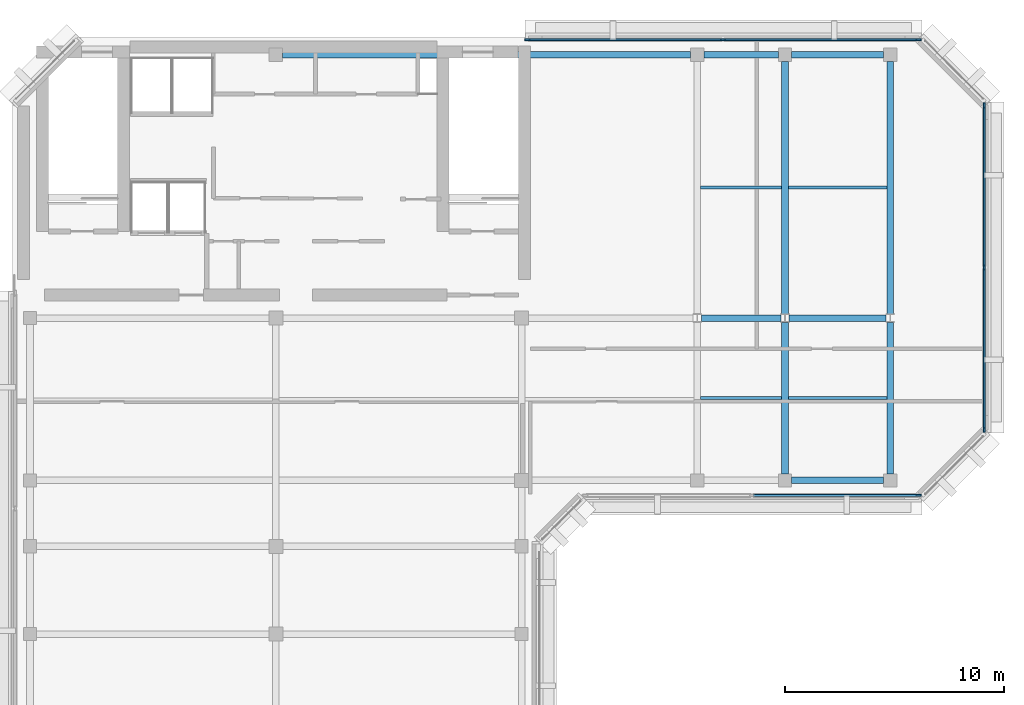
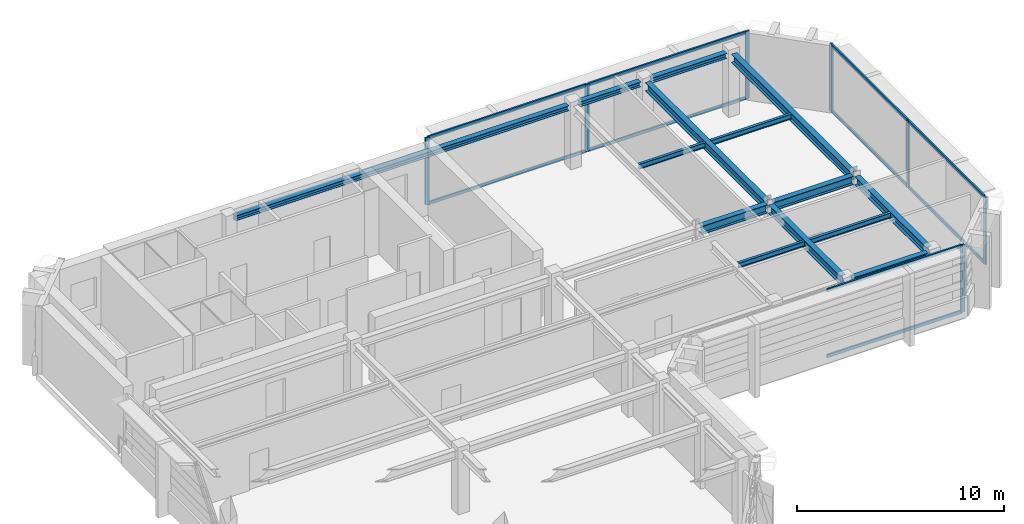
# One storey, part 3 of 7: 17 members, 14 beams, 3 elements without a shape of their own.
"""IFC4 building model written with IfcOpenShell, lengths in metres."""

from ifc_helpers import new_model, si_unit, direction, frame, origin, origin_2d, place, context, subcontext, project, spatial, rectangle, i_section, extrude, material, layer, layer_set, material_profile, profile_set, type_object, element, aggregate, save


model = new_model("IFC4")

# Units and contexts
model_context = context("Model", 3, precision=1e-05, world=origin(), true_north=direction((0.0, 1.0)))
body_context = subcontext(model_context, "Body", "Model", "MODEL_VIEW")
ifc_project = project(units=[si_unit("LENGTHUNIT", "METRE"), si_unit("AREAUNIT", "SQUARE_METRE"), si_unit("VOLUMEUNIT", "CUBIC_METRE"), si_unit("PLANEANGLEUNIT", "RADIAN"), si_unit("MASSUNIT", "GRAM", prefix="KILO")], contexts=[model_context])

# Site, building, storey
site_placement = place(None, origin())
site = spatial("IfcSite", under=ifc_project, at=site_placement, CompositionType="ELEMENT")
building_placement = place(site_placement, origin())
building = spatial("IfcBuilding", under=site, at=building_placement, Name="Kefirva Bronze Tower", CompositionType="ELEMENT")
storey_placement = place(building_placement, frame((0.0, 0.0, 369.929931640625)))
storey = spatial("IfcBuildingStorey", under=building, at=storey_placement, Name="L90", CompositionType="ELEMENT", Elevation=369.929931640625)

# Curtain wall, member
ifc_material_1 = material(Name="Bronze anodised aluminium", Category="aluminium")
ifc_layer = layer(ifc_material_1, 0.219970703125, Name="Bronze anodised aluminium")
ifc_layer_set = layer_set([ifc_layer], Name="Bronze anodised aluminium")
curtain_wall_type = type_object("IfcCurtainWallType", Name="Refuge Acoustic Louvre Curtain Screen", PredefinedType="USERDEFINED", material=ifc_layer_set)
curtain_wall_1_placement = place(storey_placement, origin())
curtain_wall_1 = element("IfcCurtainWall", 1, at=curtain_wall_1_placement, inside=storey, type_object=curtain_wall_type, Name="L90 Curtain Wall 2", ObjectType="LOUVRE SCREEN WALL", PredefinedType="USERDEFINED")
ifc_material_profile_1 = material_profile(ifc_material_1, rectangle(XDim=0.090087890625, YDim=0.219970703125, at=origin_2d()), Name="ALU 90x220")
ifc_profile_set_1 = profile_set([ifc_material_profile_1], Name="Bronze anodised aluminium")
member_type_1 = type_object("IfcMemberType", Name="Bronze Mullion 90x220", PredefinedType="MULLION", material=ifc_profile_set_1)
member_1_placement = place(storey_placement, frame((41.300048828125, 25.1201171875, 0.0), z_axis=(0.0, 0.0, 1.0), x_axis=(0.0, 1.0, 0.0)))
member_1 = element("IfcMember", 2, at=member_1_placement, type_object=member_type_1, Name="CW-06 mullion 3", PredefinedType="MULLION", context=body_context, shape_type="SweptSolid", body=[
    extrude(rectangle(XDim=0.090087890625, YDim=0.219970703125, at=origin_2d()), origin(), (0.0, 0.0, 1.0), 3.9599609375),
])

# Curtain wall, members
curtain_wall_2_placement = place(storey_placement, origin())
curtain_wall_2 = element("IfcCurtainWall", 3, at=curtain_wall_2_placement, inside=storey, type_object=curtain_wall_type, Name="L90 Curtain Wall 3", ObjectType="LOUVRE SCREEN WALL", PredefinedType="USERDEFINED")
member_2_placement = place(storey_placement, frame((44.280029296875, 28.10009765625, 0.0), z_axis=(0.0, 0.0, 1.0), x_axis=(-1.0, 0.0, 0.0)))
member_2 = element("IfcMember", 4, at=member_2_placement, type_object=member_type_1, Name="CW-06 mullion 1", PredefinedType="MULLION", context=body_context, shape_type="SweptSolid", body=[
    extrude(rectangle(XDim=0.090087890625, YDim=0.219970703125, at=origin_2d()), origin(), (0.0, 0.0, 1.0), 3.9599609375),
])
member_3_placement = place(storey_placement, frame((44.280029296875, 35.5, 0.0), z_axis=(0.0, 0.0, 1.0), x_axis=(-1.0, 0.0, 0.0)))
member_3 = element("IfcMember", 5, at=member_3_placement, type_object=member_type_1, Name="CW-06 mullion 2", PredefinedType="MULLION", context=body_context, shape_type="SweptSolid", body=[
    extrude(rectangle(XDim=0.090087890625, YDim=0.219970703125, at=origin_2d()), origin(), (0.0, 0.0, 1.0), 3.9599609375),
])
member_4_placement = place(storey_placement, frame((44.280029296875, 42.89990234375, 0.0), z_axis=(0.0, 0.0, 1.0), x_axis=(-1.0, 0.0, 0.0)))
member_4 = element("IfcMember", 6, at=member_4_placement, type_object=member_type_1, Name="CW-06 mullion 3", PredefinedType="MULLION", context=body_context, shape_type="SweptSolid", body=[
    extrude(rectangle(XDim=0.090087890625, YDim=0.219970703125, at=origin_2d()), origin(), (0.0, 0.0, 1.0), 3.9599609375),
])

curtain_wall_3_placement = place(storey_placement, origin())
curtain_wall_3 = element("IfcCurtainWall", 7, at=curtain_wall_3_placement, inside=storey, type_object=curtain_wall_type, Name="L90 Curtain Wall 4", ObjectType="LOUVRE SCREEN WALL", PredefinedType="USERDEFINED")
member_5_placement = place(storey_placement, frame((41.300048828125, 45.8798828125, 0.0), z_axis=(0.0, 0.0, 1.0), x_axis=(0.0, -1.0, 0.0)))
member_5 = element("IfcMember", 8, at=member_5_placement, type_object=member_type_1, Name="CW-06 mullion 1", PredefinedType="MULLION", context=body_context, shape_type="SweptSolid", body=[
    extrude(rectangle(XDim=0.090087890625, YDim=0.219970703125, at=origin_2d()), origin(), (0.0, 0.0, 1.0), 3.9599609375),
])
member_6_placement = place(storey_placement, frame((32.375, 45.8798828125, 0.0), z_axis=(0.0, 0.0, 1.0), x_axis=(0.0, -1.0, 0.0)))
member_6 = element("IfcMember", 9, at=member_6_placement, type_object=member_type_1, Name="CW-06 mullion 2", PredefinedType="MULLION", context=body_context, shape_type="SweptSolid", body=[
    extrude(rectangle(XDim=0.090087890625, YDim=0.219970703125, at=origin_2d()), origin(), (0.0, 0.0, 1.0), 3.9599609375),
])
member_7_placement = place(storey_placement, frame((23.449951171875, 45.8798828125, 0.0), z_axis=(0.0, 0.0, 1.0), x_axis=(0.0, -1.0, 0.0)))
member_7 = element("IfcMember", 10, at=member_7_placement, type_object=member_type_1, Name="CW-06 mullion 3", PredefinedType="MULLION", context=body_context, shape_type="SweptSolid", body=[
    extrude(rectangle(XDim=0.090087890625, YDim=0.219970703125, at=origin_2d()), origin(), (0.0, 0.0, 1.0), 3.9599609375),
])

# Member
ifc_material_profile_2 = material_profile(ifc_material_1, rectangle(XDim=0.090087890625, YDim=0.179931640625, at=origin_2d()), Name="ALU 90x180")
ifc_profile_set_2 = profile_set([ifc_material_profile_2], Name="Bronze anodised aluminium")
member_type_2 = type_object("IfcMemberType", Name="Bronze Transom 90x180", PredefinedType="USERDEFINED", material=ifc_profile_set_2)
member_8_placement = place(storey_placement, frame((33.7451171875, 25.1201171875, 0.045166015625), z_axis=(1.0, 0.0, 0.0), x_axis=(0.0, 1.0, 0.0)))
member_8 = element("IfcMember", 11, at=member_8_placement, type_object=member_type_2, Name="CW-06 transom 2.1", ObjectType="TRANSOM", PredefinedType="USERDEFINED", context=body_context, shape_type="SweptSolid", body=[
    extrude(rectangle(XDim=0.090087890625, YDim=0.179931640625, at=origin_2d()), origin(), (0.0, 0.0, 1.0), 7.509765625),
])

member_9_placement = place(storey_placement, frame((33.7451171875, 25.1201171875, 3.9150390625), z_axis=(1.0, 0.0, 0.0), x_axis=(0.0, 1.0, 0.0)))
member_9 = element("IfcMember", 12, at=member_9_placement, type_object=member_type_2, Name="CW-06 transom 2.2", ObjectType="TRANSOM", PredefinedType="USERDEFINED", context=body_context, shape_type="SweptSolid", body=[
    extrude(rectangle(XDim=0.090087890625, YDim=0.179931640625, at=origin_2d()), origin(), (0.0, 0.0, 1.0), 7.509765625),
])

aggregate(curtain_wall_1, [member_1, member_8, member_9])

member_10_placement = place(storey_placement, frame((44.280029296875, 28.14501953125, 0.045166015625), z_axis=(0.0, 1.0, 0.0), x_axis=(-1.0, 0.0, 0.0)))
member_10 = element("IfcMember", 13, at=member_10_placement, type_object=member_type_2, Name="CW-06 transom 1.1", ObjectType="TRANSOM", PredefinedType="USERDEFINED", context=body_context, shape_type="SweptSolid", body=[
    extrude(rectangle(XDim=0.090087890625, YDim=0.179931640625, at=origin_2d()), origin(), (0.0, 0.0, 1.0), 7.31005859375),
])

member_11_placement = place(storey_placement, frame((44.280029296875, 28.14501953125, 3.9150390625), z_axis=(0.0, 1.0, 0.0), x_axis=(-1.0, 0.0, 0.0)))
member_11 = element("IfcMember", 14, at=member_11_placement, type_object=member_type_2, Name="CW-06 transom 1.2", ObjectType="TRANSOM", PredefinedType="USERDEFINED", context=body_context, shape_type="SweptSolid", body=[
    extrude(rectangle(XDim=0.090087890625, YDim=0.179931640625, at=origin_2d()), origin(), (0.0, 0.0, 1.0), 7.31005859375),
])

member_12_placement = place(storey_placement, frame((44.280029296875, 35.544921875, 0.045166015625), z_axis=(0.0, 1.0, 0.0), x_axis=(-1.0, 0.0, 0.0)))
member_12 = element("IfcMember", 15, at=member_12_placement, type_object=member_type_2, Name="CW-06 transom 2.1", ObjectType="TRANSOM", PredefinedType="USERDEFINED", context=body_context, shape_type="SweptSolid", body=[
    extrude(rectangle(XDim=0.090087890625, YDim=0.179931640625, at=origin_2d()), origin(), (0.0, 0.0, 1.0), 7.31005859375),
])

member_13_placement = place(storey_placement, frame((44.280029296875, 35.544921875, 3.9150390625), z_axis=(0.0, 1.0, 0.0), x_axis=(-1.0, 0.0, 0.0)))
member_13 = element("IfcMember", 16, at=member_13_placement, type_object=member_type_2, Name="CW-06 transom 2.2", ObjectType="TRANSOM", PredefinedType="USERDEFINED", context=body_context, shape_type="SweptSolid", body=[
    extrude(rectangle(XDim=0.090087890625, YDim=0.179931640625, at=origin_2d()), origin(), (0.0, 0.0, 1.0), 7.31005859375),
])

aggregate(curtain_wall_2, [member_2, member_3, member_4, member_10, member_11, member_12, member_13])

member_14_placement = place(storey_placement, frame((41.2548828125, 45.8798828125, 0.045166015625), z_axis=(-1.0, 0.0, 0.0), x_axis=(0.0, -1.0, 0.0)))
member_14 = element("IfcMember", 17, at=member_14_placement, type_object=member_type_2, Name="CW-06 transom 1.1", ObjectType="TRANSOM", PredefinedType="USERDEFINED", context=body_context, shape_type="SweptSolid", body=[
    extrude(rectangle(XDim=0.090087890625, YDim=0.179931640625, at=origin_2d()), origin(), (0.0, 0.0, 1.0), 8.8349609375),
])

member_15_placement = place(storey_placement, frame((41.2548828125, 45.8798828125, 3.9150390625), z_axis=(-1.0, 0.0, 0.0), x_axis=(0.0, -1.0, 0.0)))
member_15 = element("IfcMember", 18, at=member_15_placement, type_object=member_type_2, Name="CW-06 transom 1.2", ObjectType="TRANSOM", PredefinedType="USERDEFINED", context=body_context, shape_type="SweptSolid", body=[
    extrude(rectangle(XDim=0.090087890625, YDim=0.179931640625, at=origin_2d()), origin(), (0.0, 0.0, 1.0), 8.8349609375),
])

member_16_placement = place(storey_placement, frame((32.330078125, 45.8798828125, 0.045166015625), z_axis=(-1.0, 0.0, 0.0), x_axis=(0.0, -1.0, 0.0)))
member_16 = element("IfcMember", 19, at=member_16_placement, type_object=member_type_2, Name="CW-06 transom 2.1", ObjectType="TRANSOM", PredefinedType="USERDEFINED", context=body_context, shape_type="SweptSolid", body=[
    extrude(rectangle(XDim=0.090087890625, YDim=0.179931640625, at=origin_2d()), origin(), (0.0, 0.0, 1.0), 8.8349609375),
])

member_17_placement = place(storey_placement, frame((32.330078125, 45.8798828125, 3.9150390625), z_axis=(-1.0, 0.0, 0.0), x_axis=(0.0, -1.0, 0.0)))
member_17 = element("IfcMember", 20, at=member_17_placement, type_object=member_type_2, Name="CW-06 transom 2.2", ObjectType="TRANSOM", PredefinedType="USERDEFINED", context=body_context, shape_type="SweptSolid", body=[
    extrude(rectangle(XDim=0.090087890625, YDim=0.179931640625, at=origin_2d()), origin(), (0.0, 0.0, 1.0), 8.8349609375),
])

aggregate(curtain_wall_3, [member_5, member_6, member_7, member_14, member_15, member_16, member_17])

# Beams
ifc_material_2 = material(Name="Steel S355", Category="steel")
ifc_material_profile_3 = material_profile(ifc_material_2, i_section(OverallWidth=0.14990234375, OverallDepth=0.300048828125, WebThickness=0.007080078125, FlangeThickness=0.0107421875, at=origin_2d()), Name="IPE 300")
ifc_profile_set_3 = profile_set([ifc_material_profile_3], Name="Steel S355")
beam_type_1 = type_object("IfcBeamType", Name="Steel Floor Joist IPE 300", PredefinedType="JOIST", material=ifc_profile_set_3)
for number, where, z_axis, x_axis, name in (
    (21, (31.35009765625, 29.55322265625, 3.550048828125), (1.0, 0.0, 0.0), (0.0, 1.0, 0.0), "L90 JST-L90-31-295"),
    (22, (31.35009765625, 39.146728515625, 3.550048828125), (1.0, 0.0, 0.0), (0.0, 1.0, 0.0), "L90 JST-L90-31-391"),
):
    element("IfcBeam", number, at=place(storey_placement, frame(where, z_axis=z_axis, x_axis=x_axis)), inside=storey, type_object=beam_type_1, Name=name, PredefinedType="JOIST", context=body_context, shape_type="SweptSolid", body=[
        extrude(i_section(OverallWidth=0.14990234375, OverallDepth=0.300048828125, WebThickness=0.007080078125, FlangeThickness=0.0107421875, at=origin_2d()), origin(), (0.0, 0.0, 1.0), 3.699951171875),
    ])
for number, where, z_axis, x_axis, name in (
    (23, (35.35009765625, 29.55322265625, 3.550048828125), (1.0, 0.0, 0.0), (0.0, 1.0, 0.0), "L90 JST-L90-35-295"),
    (24, (35.35009765625, 39.146728515625, 3.550048828125), (1.0, 0.0, 0.0), (0.0, 1.0, 0.0), "L90 JST-L90-35-391"),
):
    element("IfcBeam", number, at=place(storey_placement, frame(where, z_axis=z_axis, x_axis=x_axis)), inside=storey, type_object=beam_type_1, Name=name, PredefinedType="JOIST", context=body_context, shape_type="SweptSolid", body=[
        extrude(i_section(OverallWidth=0.14990234375, OverallDepth=0.300048828125, WebThickness=0.007080078125, FlangeThickness=0.0107421875, at=origin_2d()), origin(), (0.0, 0.0, 1.0), 4.5),
    ])
ifc_material_profile_4 = material_profile(ifc_material_2, i_section(OverallWidth=0.300048828125, OverallDepth=0.5, WebThickness=0.014404296875, FlangeThickness=0.028076171875, at=origin_2d()), Name="HEB 500")
ifc_profile_set_4 = profile_set([ifc_material_profile_4], Name="Steel S355")
beam_type_2 = type_object("IfcBeamType", Name="Steel Girder HEB 500", PredefinedType="USERDEFINED", material=ifc_profile_set_4)
beam_1_placement = place(storey_placement, frame((31.388427734375, 33.199951171875, 3.449951171875), z_axis=(1.0, 0.0, 0.0), x_axis=(0.0, 1.0, 0.0)))
element("IfcBeam", 25, at=beam_1_placement, inside=storey, type_object=beam_type_2, Name="L90 BM-L90-EW-31-332", ObjectType="GIRDER", PredefinedType="USERDEFINED", context=body_context, shape_type="SweptSolid", body=[
    extrude(i_section(OverallWidth=0.300048828125, OverallDepth=0.5, WebThickness=0.014404296875, FlangeThickness=0.028076171875, at=origin_2d()), origin(), (0.0, 0.0, 1.0), 3.623046875),
])
beam_2_placement = place(storey_placement, frame((35.388427734375, 33.199951171875, 3.449951171875), z_axis=(1.0, 0.0, 0.0), x_axis=(0.0, 1.0, 0.0)))
element("IfcBeam", 26, at=beam_2_placement, inside=storey, type_object=beam_type_2, Name="L90 BM-L90-EW-35-332", ObjectType="GIRDER", PredefinedType="USERDEFINED", context=body_context, shape_type="SweptSolid", body=[
    extrude(i_section(OverallWidth=0.300048828125, OverallDepth=0.5, WebThickness=0.014404296875, FlangeThickness=0.028076171875, at=origin_2d()), origin(), (0.0, 0.0, 1.0), 4.423095703125),
])
beam_3_placement = place(storey_placement, frame((35.199951171875, 26.10009765625, 3.449951171875), z_axis=(0.0, 1.0, 0.0), x_axis=(-1.0, 0.0, 0.0)))
element("IfcBeam", 27, at=beam_3_placement, inside=storey, type_object=beam_type_2, Name="L90 BM-L90-NS-352-25", ObjectType="GIRDER", PredefinedType="USERDEFINED", context=body_context, shape_type="SweptSolid", body=[
    extrude(i_section(OverallWidth=0.300048828125, OverallDepth=0.5, WebThickness=0.014404296875, FlangeThickness=0.028076171875, at=origin_2d()), origin(), (0.0, 0.0, 1.0), 6.906494140625),
])
beam_4_placement = place(storey_placement, frame((35.199951171875, 33.3935546875, 3.449951171875), z_axis=(0.0, 1.0, 0.0), x_axis=(-1.0, 0.0, 0.0)))
element("IfcBeam", 28, at=beam_4_placement, inside=storey, type_object=beam_type_2, Name="L90 BM-L90-NS-352-33", ObjectType="GIRDER", PredefinedType="USERDEFINED", context=body_context, shape_type="SweptSolid", body=[
    extrude(i_section(OverallWidth=0.300048828125, OverallDepth=0.5, WebThickness=0.014404296875, FlangeThickness=0.028076171875, at=origin_2d()), origin(), (0.0, 0.0, 1.0), 11.50634765625),
])
beam_5_placement = place(storey_placement, frame((40.0, 26.10009765625, 3.449951171875), z_axis=(0.0, 1.0, 0.0), x_axis=(-1.0, 0.0, 0.0)))
element("IfcBeam", 29, at=beam_5_placement, inside=storey, type_object=beam_type_2, Name="L90 BM-L90-NS-400-25", ObjectType="GIRDER", PredefinedType="USERDEFINED", context=body_context, shape_type="SweptSolid", body=[
    extrude(i_section(OverallWidth=0.300048828125, OverallDepth=0.5, WebThickness=0.014404296875, FlangeThickness=0.028076171875, at=origin_2d()), origin(), (0.0, 0.0, 1.0), 6.906494140625),
])
beam_6_placement = place(storey_placement, frame((40.0, 33.3935546875, 3.449951171875), z_axis=(0.0, 1.0, 0.0), x_axis=(-1.0, 0.0, 0.0)))
element("IfcBeam", 30, at=beam_6_placement, inside=storey, type_object=beam_type_2, Name="L90 BM-L90-NS-400-33", ObjectType="GIRDER", PredefinedType="USERDEFINED", context=body_context, shape_type="SweptSolid", body=[
    extrude(i_section(OverallWidth=0.300048828125, OverallDepth=0.5, WebThickness=0.014404296875, FlangeThickness=0.028076171875, at=origin_2d()), origin(), (0.0, 0.0, 1.0), 11.50634765625),
])
ifc_material_profile_5 = material_profile(ifc_material_2, i_section(OverallWidth=0.300048828125, OverallDepth=0.300048828125, WebThickness=0.010986328125, FlangeThickness=0.01904296875, at=origin_2d()), Name="HEB 300")
ifc_profile_set_5 = profile_set([ifc_material_profile_5], Name="Steel S355")
beam_type_3 = type_object("IfcBeamType", Name="Steel Spandrel HEB 300 Ext", PredefinedType="SPANDREL", material=ifc_profile_set_5)
beam_7_placement = place(storey_placement, frame((35.5, 25.800048828125, 3.550048828125), z_axis=(1.0, 0.0, 0.0), x_axis=(0.0, 1.0, 0.0)))
element("IfcBeam", 31, at=beam_7_placement, inside=storey, type_object=beam_type_3, Name="L90 BM-L90-EW-35-258", PredefinedType="SPANDREL", context=body_context, shape_type="SweptSolid", body=[
    extrude(i_section(OverallWidth=0.300048828125, OverallDepth=0.300048828125, WebThickness=0.010986328125, FlangeThickness=0.01904296875, at=origin_2d()), origin(), (0.0, 0.0, 1.0), 4.199951171875),
])
beam_8_placement = place(storey_placement, frame((12.300048828125, 45.199951171875, 3.550048828125), z_axis=(1.0, 0.0, 0.0), x_axis=(0.0, 1.0, 0.0)))
element("IfcBeam", 32, at=beam_8_placement, inside=storey, type_object=beam_type_3, Name="L90 BM-L90-EW-12-452", PredefinedType="SPANDREL", context=body_context, shape_type="SweptSolid", body=[
    extrude(i_section(OverallWidth=0.300048828125, OverallDepth=0.300048828125, WebThickness=0.010986328125, FlangeThickness=0.01904296875, at=origin_2d()), origin(), (0.0, 0.0, 1.0), 18.599853515625),
])
beam_9_placement = place(storey_placement, frame((31.5, 45.199951171875, 3.550048828125), z_axis=(1.0, 0.0, 0.0), x_axis=(0.0, 1.0, 0.0)))
element("IfcBeam", 33, at=beam_9_placement, inside=storey, type_object=beam_type_3, Name="L90 BM-L90-EW-31-452", PredefinedType="SPANDREL", context=body_context, shape_type="SweptSolid", body=[
    extrude(i_section(OverallWidth=0.300048828125, OverallDepth=0.300048828125, WebThickness=0.010986328125, FlangeThickness=0.01904296875, at=origin_2d()), origin(), (0.0, 0.0, 1.0), 3.39990234375),
])
beam_10_placement = place(storey_placement, frame((35.5, 45.199951171875, 3.550048828125), z_axis=(1.0, 0.0, 0.0), x_axis=(0.0, 1.0, 0.0)))
element("IfcBeam", 34, at=beam_10_placement, inside=storey, type_object=beam_type_3, Name="L90 BM-L90-EW-35-452", PredefinedType="SPANDREL", context=body_context, shape_type="SweptSolid", body=[
    extrude(i_section(OverallWidth=0.300048828125, OverallDepth=0.300048828125, WebThickness=0.010986328125, FlangeThickness=0.01904296875, at=origin_2d()), origin(), (0.0, 0.0, 1.0), 4.199951171875),
])

save(model, "model.ifc")
